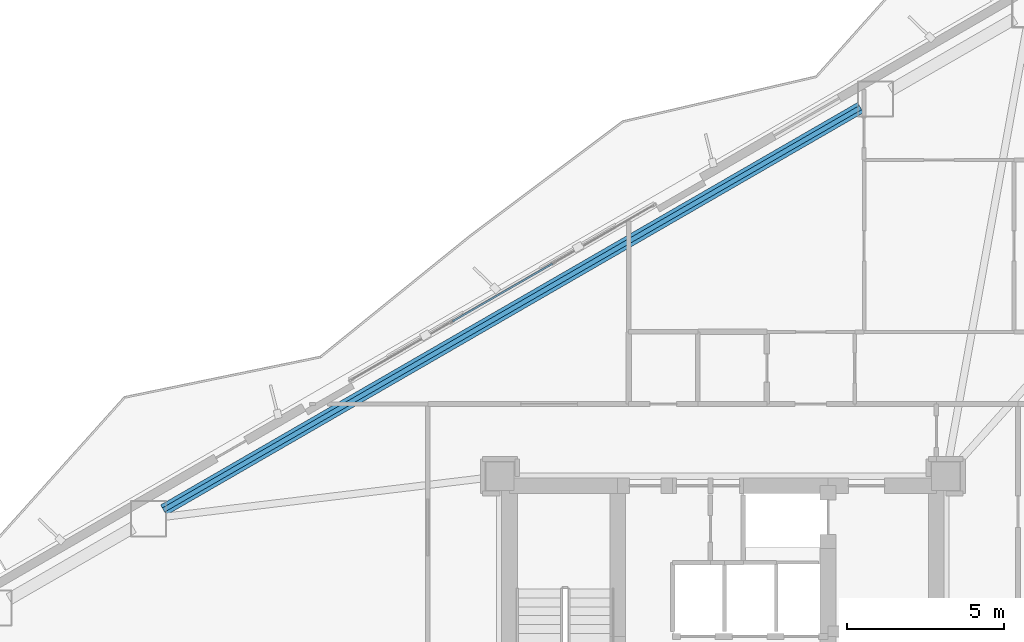
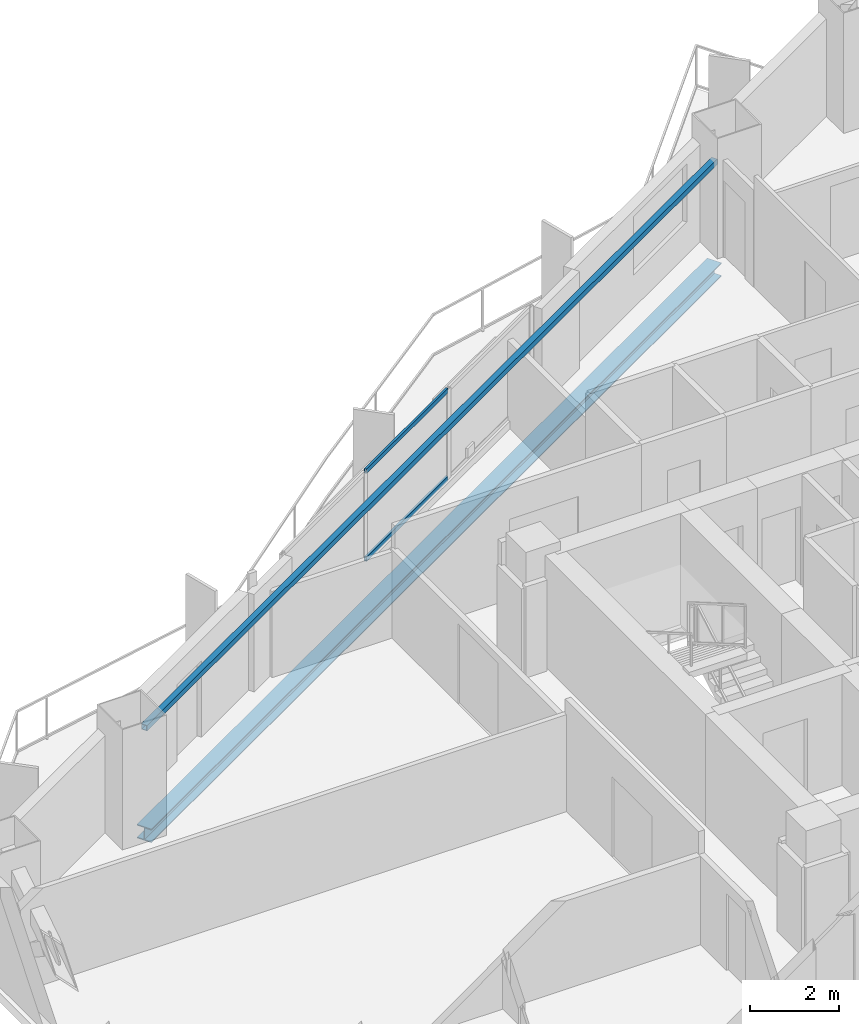
# One storey, part 12 of 22: 2 beams, 2 members, 1 element without a shape of its own.
"""IFC4 building model written with IfcOpenShell, lengths in metres."""

import ifcopenshell
import ifcopenshell.guid

model = None  # the IFC model being written
_history = None  # IfcOwnerHistory: only IFC2X3 demands one
_inside = {}  # id of a spatial element -> (the spatial element, [elements in it])
_under = {}  # id of a project, library or spatial element -> (it, [spatial elements below it])
_declared = {}  # id of a project -> (the project, [libraries it declares])
_typed = {}  # id of a type object -> (the type object, [elements of that type])
_made_of = {}  # id of a material, layer set ... -> (it, [elements and type objects made of it])


def new_model(schema):
    """Start an empty IFC model of exactly this schema.

    Asked for "IFC4X3", IfcOpenShell would pick the latest addendum, in which some entities
    have other attributes; the version numbers below select the first issue.
    IFC2X3 requires an IfcOwnerHistory on every rooted entity: one is made here for all.
    """
    global model, _history
    if schema == "IFC4X3":
        model = ifcopenshell.file(schema_version=(4, 3, 0, 0))
    else:
        model = ifcopenshell.file(schema=schema)
    _inside.clear()
    _under.clear()
    _declared.clear()
    _typed.clear()
    _made_of.clear()
    _history = None
    if model.schema == "IFC2X3":
        org = make("IfcOrganization", Name="unknown")
        user = make(
            "IfcPersonAndOrganization",
            ThePerson=make("IfcPerson", FamilyName="unknown"),
            TheOrganization=org,
        )
        app = make(
            "IfcApplication",
            ApplicationDeveloper=org,
            Version="unknown",
            ApplicationFullName="unknown",
            ApplicationIdentifier="unknown",
        )
        _history = make(
            "IfcOwnerHistory",
            OwningUser=user,
            OwningApplication=app,
            ChangeAction="ADDED",
            CreationDate=0,
        )
    return model


def make(cls, **values):
    """One entity of the class cls with the attributes given. An attribute that is None is left unset."""
    return model.create_entity(
        cls, **{name: value for name, value in values.items() if value is not None}
    )


def rooted(cls, **values):
    """An entity with a GlobalId (a new one), such as an element, a storey or a relation."""
    return make(cls, GlobalId=ifcopenshell.guid.new(), OwnerHistory=_history, **values)


def si_unit(unit_type, name, prefix=None):
    """IfcSIUnit, for example si_unit("LENGTHUNIT", "METRE", prefix="MILLI")."""
    return make("IfcSIUnit", UnitType=unit_type, Prefix=prefix, Name=name)


def assignment(units):
    """IfcUnitAssignment: the units of a project."""
    return None if units is None else make("IfcUnitAssignment", Units=units)


def point(xyz):
    """IfcCartesianPoint."""
    return None if xyz is None else make("IfcCartesianPoint", Coordinates=xyz)


def direction(xyz):
    """IfcDirection."""
    return None if xyz is None else make("IfcDirection", DirectionRatios=xyz)


def frame(location, z_axis=None, x_axis=None):
    """IfcAxis2Placement3D, a coordinate frame: its origin and axes. An axis left out is left unset."""
    return make(
        "IfcAxis2Placement3D",
        Location=point(location),
        Axis=direction(z_axis),
        RefDirection=direction(x_axis),
    )


def frame_2d(location, x_axis=None):
    """IfcAxis2Placement2D, a coordinate frame in the plane: its origin and x axis."""
    return make(
        "IfcAxis2Placement2D", Location=point(location), RefDirection=direction(x_axis)
    )


def origin():
    """The frame at (0, 0, 0) with its axes left unset."""
    return frame((0.0, 0.0, 0.0))


def origin_2d():
    """The frame at (0, 0) in the plane with its x axis left unset."""
    return frame_2d((0.0, 0.0))


def place(relative_to, where):
    """IfcLocalPlacement: puts the frame where relative to a parent placement (None: the world)."""
    return make(
        "IfcLocalPlacement", PlacementRelTo=relative_to, RelativePlacement=where
    )


def context(
    kind, dimensions, precision=None, world=None, true_north=None, identifier=None
):
    """IfcGeometricRepresentationContext, for example the 3D "Model" context."""
    return make(
        "IfcGeometricRepresentationContext",
        ContextIdentifier=identifier,
        ContextType=kind,
        CoordinateSpaceDimension=dimensions,
        Precision=precision,
        WorldCoordinateSystem=world,
        TrueNorth=true_north,
    )


def subcontext(parent, identifier, kind, view, scale=None):
    """IfcGeometricRepresentationSubContext, for example "Body" below "Model"."""
    return make(
        "IfcGeometricRepresentationSubContext",
        ContextIdentifier=identifier,
        ContextType=kind,
        ParentContext=parent,
        TargetScale=scale,
        TargetView=view,
    )


def project(units=None, contexts=None):
    """IfcProject with its units and contexts."""
    return rooted(
        "IfcProject",
        Name="project",
        RepresentationContexts=contexts,
        UnitsInContext=assignment(units),
    )


def spatial(cls, under=None, at=None, **own):
    """A site, building, storey or space (cls), placed at a placement, below another one or the project."""
    s = rooted(cls, ObjectPlacement=at, **own)
    if under is not None:
        _under.setdefault(under.id(), (under, []))[1].append(s)
    return s


def profile(cls, at=None, kind="AREA", **sizes):
    """A parametric profile (cls). Its sizes go by their IFC names, for example OverallWidth=200.0."""
    return make(cls, ProfileType=kind, Position=at, **sizes)


def hollow_rectangle(**sizes):
    """IfcRectangleHollowProfileDef."""
    return profile("IfcRectangleHollowProfileDef", **sizes)


def i_section(**sizes):
    """IfcIShapeProfileDef."""
    return profile("IfcIShapeProfileDef", **sizes)


def extrude(swept, where, along, depth):
    """IfcExtrudedAreaSolid: the profile swept, set in the frame where, extruded along a direction by depth."""
    return make(
        "IfcExtrudedAreaSolid",
        SweptArea=swept,
        Position=where,
        ExtrudedDirection=direction(along),
        Depth=depth,
    )


def shape(context_of_items, identifier, shape_type, items):
    """IfcShapeRepresentation: the items that make up one representation, for example the "Body"."""
    return make(
        "IfcShapeRepresentation",
        ContextOfItems=context_of_items,
        RepresentationIdentifier=identifier,
        RepresentationType=shape_type,
        Items=items,
    )


def material(Name=None, Category=None):
    """IfcMaterial."""
    return make("IfcMaterial", Name=Name, Category=Category)


def layer(
    of_material, thickness, ventilated=None, Name=None, Category=None, Priority=None
):
    """IfcMaterialLayer: one layer of a wall or slab, of a material (None: an air gap)."""
    return make(
        "IfcMaterialLayer",
        Material=of_material,
        LayerThickness=thickness,
        IsVentilated=ventilated,
        Name=Name,
        Category=Category,
        Priority=Priority,
    )


def layer_set(layers, Name=None):
    """IfcMaterialLayerSet."""
    return make("IfcMaterialLayerSet", MaterialLayers=layers, LayerSetName=Name)


def material_profile(
    of_material, cross_section, Name=None, Category=None, Priority=None
):
    """IfcMaterialProfile: a cross section and its material."""
    return make(
        "IfcMaterialProfile",
        Name=Name,
        Material=of_material,
        Profile=cross_section,
        Priority=Priority,
        Category=Category,
    )


def profile_set(profiles, Name=None, composite=None):
    """IfcMaterialProfileSet."""
    return make(
        "IfcMaterialProfileSet",
        Name=Name,
        MaterialProfiles=profiles,
        CompositeProfile=composite,
    )


def made_of(thing, what):
    """Note that an element or type object is made of a material, layer set ...; save() writes the relation."""
    if what is not None:
        _made_of.setdefault(what.id(), (what, []))[1].append(thing)
    return thing


def type_object(cls, material=None, **own):
    """A type object (cls), such as IfcWallType, which elements share."""
    return made_of(rooted(cls, **own), material)


def element(
    cls,
    number,
    at=None,
    inside=None,
    cuts=None,
    type_object=None,
    material=None,
    context=None,
    identifier="Body",
    shape_type=None,
    held_by="IfcProductDefinitionShape",
    body=None,
    shapes=None,
    **own,
):
    """One element of the class cls, such as IfcWall. Its Tag is "e" and its number.

    at: its placement. inside: the storey or other place that contains it. cuts: it is an
    opening in that element (IfcRelVoidsElement). A single representation is given by context,
    identifier, shape_type and body (its items); several are given by shapes. held_by: the class
    of the entity that holds the representations. save() writes the other relations.
    """
    e = rooted(cls, Tag="e%d" % number, ObjectPlacement=at, **own)
    if body is not None:
        shapes = [shape(context, identifier, shape_type, body)]
    if shapes is not None:
        e.Representation = make(held_by, Representations=shapes)
    if inside is not None:
        _inside.setdefault(inside.id(), (inside, []))[1].append(e)
    if cuts is not None:
        rooted(
            "IfcRelVoidsElement", RelatingBuildingElement=cuts, RelatedOpeningElement=e
        )
    if type_object is not None:
        _typed.setdefault(type_object.id(), (type_object, []))[1].append(e)
    return made_of(e, material)


def aggregate(whole, parts):
    """IfcRelAggregates: a whole, such as a stair, and the parts it consists of."""
    return rooted("IfcRelAggregates", RelatingObject=whole, RelatedObjects=parts)


def save(model, path):
    """Write the relations noted so far, then the file.

    IfcRelAggregates (storeys below a building ...), IfcRelContainedInSpatialStructure (elements
    in a storey), IfcRelDefinesByType, IfcRelAssociatesMaterial and IfcRelDeclares: one each for
    every whole, place, type object, material and project.
    """
    for whole, parts in _under.values():
        aggregate(whole, parts)
    for where, things in _inside.values():
        rooted(
            "IfcRelContainedInSpatialStructure",
            RelatedElements=things,
            RelatingStructure=where,
        )
    for kind, things in _typed.values():
        rooted("IfcRelDefinesByType", RelatedObjects=things, RelatingType=kind)
    for what, things in _made_of.values():
        rooted("IfcRelAssociatesMaterial", RelatedObjects=things, RelatingMaterial=what)
    for by, libraries in _declared.values():
        rooted("IfcRelDeclares", RelatingContext=by, RelatedDefinitions=libraries)
    model.write(path)


model = new_model("IFC4")

# Units and contexts
model_context = context("Model", 3, precision=1e-05, world=origin(), true_north=direction((0.0, 1.0)))
body_context = subcontext(model_context, "Body", "Model", "MODEL_VIEW")
ifc_project = project(units=[si_unit("LENGTHUNIT", "METRE"), si_unit("AREAUNIT", "SQUARE_METRE"), si_unit("VOLUMEUNIT", "CUBIC_METRE"), si_unit("PLANEANGLEUNIT", "RADIAN"), si_unit("MASSUNIT", "GRAM", prefix="KILO")], contexts=[model_context])

# Site, building, storey
site_placement = place(None, origin())
site = spatial("IfcSite", under=ifc_project, at=site_placement, CompositionType="ELEMENT")
building_placement = place(site_placement, origin())
building = spatial("IfcBuilding", under=site, at=building_placement, Name="Mersakhor Tower and Convention Hall", CompositionType="ELEMENT")
storey_placement = place(building_placement, frame((0.0, 0.0, 86.699951171875)))
storey = spatial("IfcBuildingStorey", under=building, at=storey_placement, Name="L23", CompositionType="ELEMENT", Elevation=86.699951171875)

# Beams
ifc_material_1 = material(Name="Steel S355", Category="steel")
ifc_material_profile_1 = material_profile(ifc_material_1, hollow_rectangle(XDim=0.14990234375, YDim=0.14990234375, WallThickness=0.010009765625, at=origin_2d()), Name="SHS 150x150x10")
ifc_profile_set_1 = profile_set([ifc_material_profile_1], Name="Steel S355")
beam_type_1 = type_object("IfcBeamType", Name="BM-GRT-SHS150", PredefinedType="USERDEFINED", material=ifc_profile_set_1)
beam_1_placement = place(storey_placement, frame((11.18310546875, 31.976318359375, 2.47998046875), z_axis=(0.866022538643, 0.500004962538, 0.0), x_axis=(-0.500004962538, 0.866022538643, 0.0)))
element("IfcBeam", 1, at=beam_1_placement, inside=storey, type_object=beam_type_1, Name="L23 Facade Support Girt GRT-F1", ObjectType="GIRT", PredefinedType="USERDEFINED", context=body_context, shape_type="SweptSolid", body=[
    extrude(hollow_rectangle(XDim=0.14990234375, YDim=0.14990234375, WallThickness=0.010009765625, at=origin_2d()), origin(), (0.0, 0.0, 1.0), 25.633544921875),
])
ifc_material_2 = material(Name="Steel S355", Category="steel")
ifc_material_profile_2 = material_profile(ifc_material_2, i_section(OverallWidth=0.374755859375, OverallDepth=0.37451171875, WebThickness=0.0166015625, FlangeThickness=0.027099609375, at=origin_2d()), Name="UC 356x368x202")
ifc_profile_set_2 = profile_set([ifc_material_profile_2], Name="Steel S355")
beam_type_2 = type_object("IfcBeamType", Name="BM-SPD-UC356", PredefinedType="SPANDREL", material=ifc_profile_set_2)
beam_2_placement = place(storey_placement, frame((11.18310546875, 31.976318359375, -0.437255859375), z_axis=(0.866022538643, 0.500004962538, 0.0), x_axis=(-0.500004962538, 0.866022538643, 0.0)))
element("IfcBeam", 2, at=beam_2_placement, inside=storey, type_object=beam_type_2, Name="L23 Perimeter Spandrel Beam SPB-02", PredefinedType="SPANDREL", context=body_context, shape_type="SweptSolid", body=[
    extrude(i_section(OverallWidth=0.374755859375, OverallDepth=0.37451171875, WebThickness=0.0166015625, FlangeThickness=0.027099609375, at=origin_2d()), origin(), (0.0, 0.0, 1.0), 25.633544921875),
])

# Curtain wall, members
ifc_material_3 = material(Name="Dark solar low-E aluminium curtain wall", Category="aluminium")
ifc_layer = layer(ifc_material_3, 0.159912109375)
ifc_layer_set = layer_set([ifc_layer], Name="Dark solar low-E aluminium curtain wall")
curtain_wall_type = type_object("IfcCurtainWallType", Name="CW-SYS-01", PredefinedType="USERDEFINED", material=ifc_layer_set)
curtain_wall_placement = place(storey_placement, origin())
curtain_wall = element("IfcCurtainWall", 3, at=curtain_wall_placement, inside=storey, type_object=curtain_wall_type, Name="L23 Dark-Glass Curtain Wall F1-B2", ObjectType="CURTAIN WALL", PredefinedType="USERDEFINED")
ifc_material_4 = material(Name="Anodised aluminium EN AW-6063 T6", Category="aluminium")
ifc_material_profile_3 = material_profile(ifc_material_4, hollow_rectangle(XDim=0.06005859375, YDim=0.1201171875, WallThickness=0.0048828125, at=origin_2d()), Name="RHS 120x60x5")
ifc_profile_set_3 = profile_set([ifc_material_profile_3], Name="Anodised aluminium EN AW-6063 T6")
member_type = type_object("IfcMemberType", Name="CWT-120x60", PredefinedType="USERDEFINED", material=ifc_profile_set_3)
member_1_placement = place(storey_placement, frame((20.394287109375, 37.9873046875, 0.22998046875), z_axis=(0.866039286129, 0.499975954304, 0.0), x_axis=(-0.499975954304, 0.866039286129, 0.0)))
member_1 = element("IfcMember", 4, at=member_1_placement, type_object=member_type, Name="CW-01 transom 2.1", ObjectType="TRANSOM", PredefinedType="USERDEFINED", context=body_context, shape_type="SweptSolid", body=[
    extrude(hollow_rectangle(XDim=0.06005859375, YDim=0.1201171875, WallThickness=0.0048828125, at=origin_2d()), origin(), (0.0, 0.0, 1.0), 3.668212890625),
])
member_2_placement = place(storey_placement, frame((20.394287109375, 37.9873046875, 2.64013671875), z_axis=(0.866039286129, 0.499975954304, 0.0), x_axis=(-0.499975954304, 0.866039286129, 0.0)))
member_2 = element("IfcMember", 5, at=member_2_placement, type_object=member_type, Name="CW-01 transom 2.2", ObjectType="TRANSOM", PredefinedType="USERDEFINED", context=body_context, shape_type="SweptSolid", body=[
    extrude(hollow_rectangle(XDim=0.06005859375, YDim=0.1201171875, WallThickness=0.0048828125, at=origin_2d()), origin(), (0.0, 0.0, 1.0), 3.668212890625),
])
aggregate(curtain_wall, [member_1, member_2])

save(model, "model.ifc")
